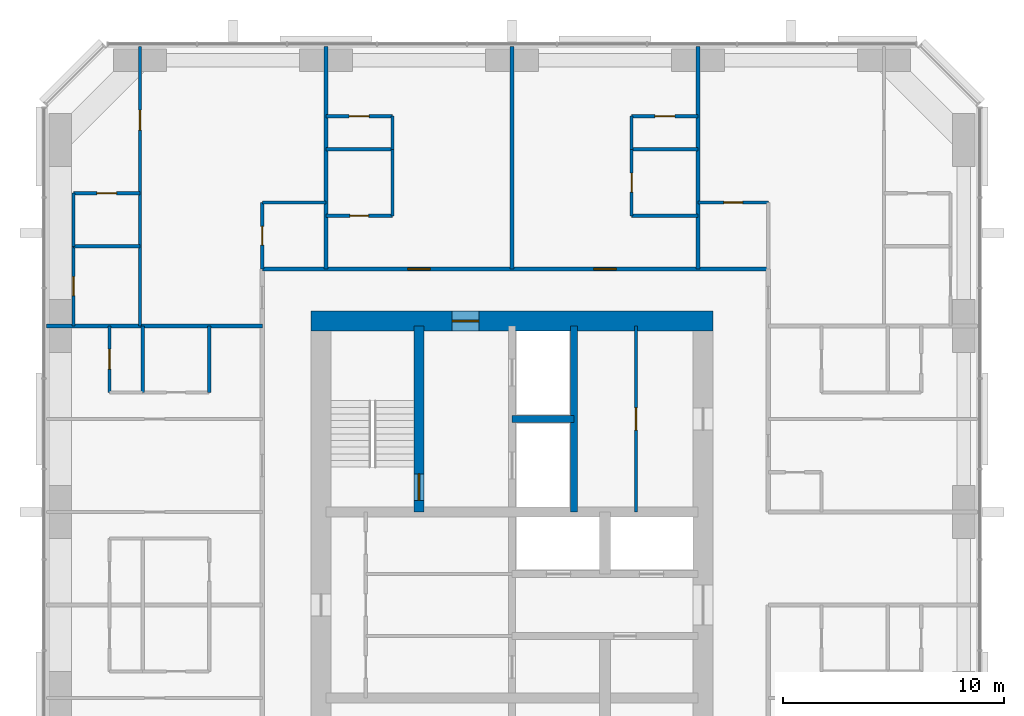
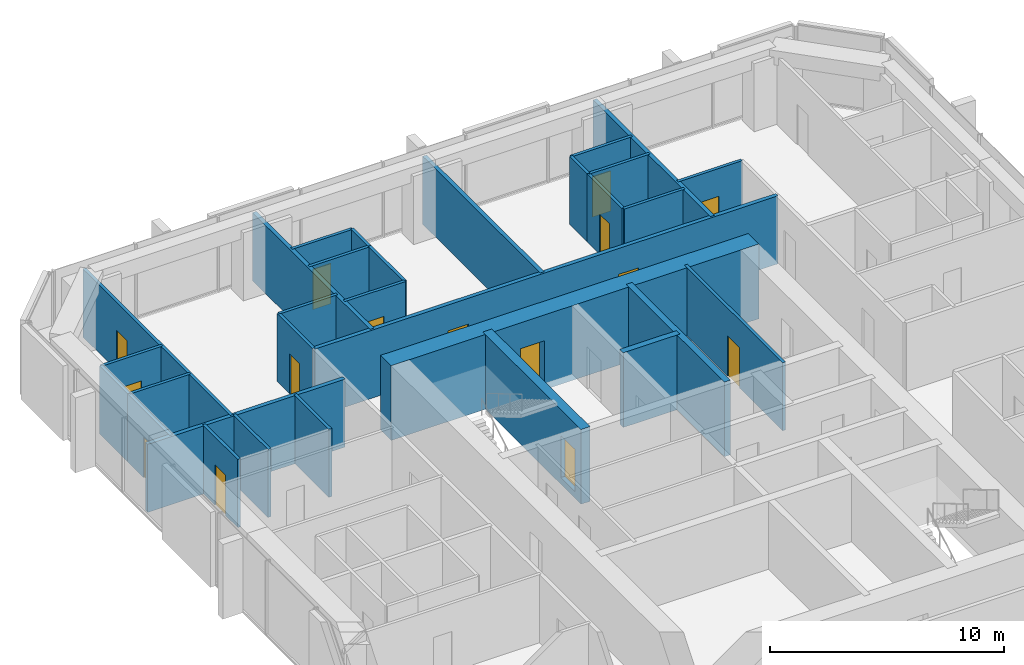
# One storey, part 10 of 12: 31 walls, 15 doors, 15 openings.
"""IFC4 building model written with IfcOpenShell, lengths in metres."""

import ifcopenshell
import ifcopenshell.guid

model = None  # the IFC model being written
_history = None  # IfcOwnerHistory: only IFC2X3 demands one
_inside = {}  # id of a spatial element -> (the spatial element, [elements in it])
_under = {}  # id of a project, library or spatial element -> (it, [spatial elements below it])
_declared = {}  # id of a project -> (the project, [libraries it declares])
_typed = {}  # id of a type object -> (the type object, [elements of that type])
_made_of = {}  # id of a material, layer set ... -> (it, [elements and type objects made of it])


def new_model(schema):
    """Start an empty IFC model of exactly this schema.

    Asked for "IFC4X3", IfcOpenShell would pick the latest addendum, in which some entities
    have other attributes; the version numbers below select the first issue.
    IFC2X3 requires an IfcOwnerHistory on every rooted entity: one is made here for all.
    """
    global model, _history
    if schema == "IFC4X3":
        model = ifcopenshell.file(schema_version=(4, 3, 0, 0))
    else:
        model = ifcopenshell.file(schema=schema)
    _inside.clear()
    _under.clear()
    _declared.clear()
    _typed.clear()
    _made_of.clear()
    _history = None
    if model.schema == "IFC2X3":
        org = make("IfcOrganization", Name="unknown")
        user = make(
            "IfcPersonAndOrganization",
            ThePerson=make("IfcPerson", FamilyName="unknown"),
            TheOrganization=org,
        )
        app = make(
            "IfcApplication",
            ApplicationDeveloper=org,
            Version="unknown",
            ApplicationFullName="unknown",
            ApplicationIdentifier="unknown",
        )
        _history = make(
            "IfcOwnerHistory",
            OwningUser=user,
            OwningApplication=app,
            ChangeAction="ADDED",
            CreationDate=0,
        )
    return model


def make(cls, **values):
    """One entity of the class cls with the attributes given. An attribute that is None is left unset."""
    return model.create_entity(
        cls, **{name: value for name, value in values.items() if value is not None}
    )


def rooted(cls, **values):
    """An entity with a GlobalId (a new one), such as an element, a storey or a relation."""
    return make(cls, GlobalId=ifcopenshell.guid.new(), OwnerHistory=_history, **values)


def si_unit(unit_type, name, prefix=None):
    """IfcSIUnit, for example si_unit("LENGTHUNIT", "METRE", prefix="MILLI")."""
    return make("IfcSIUnit", UnitType=unit_type, Prefix=prefix, Name=name)


def assignment(units):
    """IfcUnitAssignment: the units of a project."""
    return None if units is None else make("IfcUnitAssignment", Units=units)


def point(xyz):
    """IfcCartesianPoint."""
    return None if xyz is None else make("IfcCartesianPoint", Coordinates=xyz)


def direction(xyz):
    """IfcDirection."""
    return None if xyz is None else make("IfcDirection", DirectionRatios=xyz)


def frame(location, z_axis=None, x_axis=None):
    """IfcAxis2Placement3D, a coordinate frame: its origin and axes. An axis left out is left unset."""
    return make(
        "IfcAxis2Placement3D",
        Location=point(location),
        Axis=direction(z_axis),
        RefDirection=direction(x_axis),
    )


def frame_2d(location, x_axis=None):
    """IfcAxis2Placement2D, a coordinate frame in the plane: its origin and x axis."""
    return make(
        "IfcAxis2Placement2D", Location=point(location), RefDirection=direction(x_axis)
    )


def origin():
    """The frame at (0, 0, 0) with its axes left unset."""
    return frame((0.0, 0.0, 0.0))


def place(relative_to, where):
    """IfcLocalPlacement: puts the frame where relative to a parent placement (None: the world)."""
    return make(
        "IfcLocalPlacement", PlacementRelTo=relative_to, RelativePlacement=where
    )


def context(
    kind, dimensions, precision=None, world=None, true_north=None, identifier=None
):
    """IfcGeometricRepresentationContext, for example the 3D "Model" context."""
    return make(
        "IfcGeometricRepresentationContext",
        ContextIdentifier=identifier,
        ContextType=kind,
        CoordinateSpaceDimension=dimensions,
        Precision=precision,
        WorldCoordinateSystem=world,
        TrueNorth=true_north,
    )


def subcontext(parent, identifier, kind, view, scale=None):
    """IfcGeometricRepresentationSubContext, for example "Body" below "Model"."""
    return make(
        "IfcGeometricRepresentationSubContext",
        ContextIdentifier=identifier,
        ContextType=kind,
        ParentContext=parent,
        TargetScale=scale,
        TargetView=view,
    )


def project(units=None, contexts=None):
    """IfcProject with its units and contexts."""
    return rooted(
        "IfcProject",
        Name="project",
        RepresentationContexts=contexts,
        UnitsInContext=assignment(units),
    )


def spatial(cls, under=None, at=None, **own):
    """A site, building, storey or space (cls), placed at a placement, below another one or the project."""
    s = rooted(cls, ObjectPlacement=at, **own)
    if under is not None:
        _under.setdefault(under.id(), (under, []))[1].append(s)
    return s


def profile(cls, at=None, kind="AREA", **sizes):
    """A parametric profile (cls). Its sizes go by their IFC names, for example OverallWidth=200.0."""
    return make(cls, ProfileType=kind, Position=at, **sizes)


def rectangle(**sizes):
    """IfcRectangleProfileDef."""
    return profile("IfcRectangleProfileDef", **sizes)


def extrude(swept, where, along, depth):
    """IfcExtrudedAreaSolid: the profile swept, set in the frame where, extruded along a direction by depth."""
    return make(
        "IfcExtrudedAreaSolid",
        SweptArea=swept,
        Position=where,
        ExtrudedDirection=direction(along),
        Depth=depth,
    )


def shape(context_of_items, identifier, shape_type, items):
    """IfcShapeRepresentation: the items that make up one representation, for example the "Body"."""
    return make(
        "IfcShapeRepresentation",
        ContextOfItems=context_of_items,
        RepresentationIdentifier=identifier,
        RepresentationType=shape_type,
        Items=items,
    )


def material(Name=None, Category=None):
    """IfcMaterial."""
    return make("IfcMaterial", Name=Name, Category=Category)


def layer(
    of_material, thickness, ventilated=None, Name=None, Category=None, Priority=None
):
    """IfcMaterialLayer: one layer of a wall or slab, of a material (None: an air gap)."""
    return make(
        "IfcMaterialLayer",
        Material=of_material,
        LayerThickness=thickness,
        IsVentilated=ventilated,
        Name=Name,
        Category=Category,
        Priority=Priority,
    )


def layer_set(layers, Name=None):
    """IfcMaterialLayerSet."""
    return make("IfcMaterialLayerSet", MaterialLayers=layers, LayerSetName=Name)


def made_of(thing, what):
    """Note that an element or type object is made of a material, layer set ...; save() writes the relation."""
    if what is not None:
        _made_of.setdefault(what.id(), (what, []))[1].append(thing)
    return thing


def type_object(cls, material=None, **own):
    """A type object (cls), such as IfcWallType, which elements share."""
    return made_of(rooted(cls, **own), material)


def element(
    cls,
    number,
    at=None,
    inside=None,
    cuts=None,
    type_object=None,
    material=None,
    context=None,
    identifier="Body",
    shape_type=None,
    held_by="IfcProductDefinitionShape",
    body=None,
    shapes=None,
    **own,
):
    """One element of the class cls, such as IfcWall. Its Tag is "e" and its number.

    at: its placement. inside: the storey or other place that contains it. cuts: it is an
    opening in that element (IfcRelVoidsElement). A single representation is given by context,
    identifier, shape_type and body (its items); several are given by shapes. held_by: the class
    of the entity that holds the representations. save() writes the other relations.
    """
    e = rooted(cls, Tag="e%d" % number, ObjectPlacement=at, **own)
    if body is not None:
        shapes = [shape(context, identifier, shape_type, body)]
    if shapes is not None:
        e.Representation = make(held_by, Representations=shapes)
    if inside is not None:
        _inside.setdefault(inside.id(), (inside, []))[1].append(e)
    if cuts is not None:
        rooted(
            "IfcRelVoidsElement", RelatingBuildingElement=cuts, RelatedOpeningElement=e
        )
    if type_object is not None:
        _typed.setdefault(type_object.id(), (type_object, []))[1].append(e)
    return made_of(e, material)


def fill(opening, filler):
    """IfcRelFillsElement: the door or window that sits in an opening."""
    return rooted(
        "IfcRelFillsElement",
        RelatingOpeningElement=opening,
        RelatedBuildingElement=filler,
    )


def aggregate(whole, parts):
    """IfcRelAggregates: a whole, such as a stair, and the parts it consists of."""
    return rooted("IfcRelAggregates", RelatingObject=whole, RelatedObjects=parts)


def save(model, path):
    """Write the relations noted so far, then the file.

    IfcRelAggregates (storeys below a building ...), IfcRelContainedInSpatialStructure (elements
    in a storey), IfcRelDefinesByType, IfcRelAssociatesMaterial and IfcRelDeclares: one each for
    every whole, place, type object, material and project.
    """
    for whole, parts in _under.values():
        aggregate(whole, parts)
    for where, things in _inside.values():
        rooted(
            "IfcRelContainedInSpatialStructure",
            RelatedElements=things,
            RelatingStructure=where,
        )
    for kind, things in _typed.values():
        rooted("IfcRelDefinesByType", RelatedObjects=things, RelatingType=kind)
    for what, things in _made_of.values():
        rooted("IfcRelAssociatesMaterial", RelatedObjects=things, RelatingMaterial=what)
    for by, libraries in _declared.values():
        rooted("IfcRelDeclares", RelatingContext=by, RelatedDefinitions=libraries)
    model.write(path)


model = new_model("IFC4")

# Units and contexts
model_context = context("Model", 3, precision=1e-05, world=origin(), true_north=direction((0.0, 1.0)))
body_context = subcontext(model_context, "Body", "Model", "MODEL_VIEW")
ifc_project = project(units=[si_unit("LENGTHUNIT", "METRE"), si_unit("AREAUNIT", "SQUARE_METRE"), si_unit("VOLUMEUNIT", "CUBIC_METRE"), si_unit("PLANEANGLEUNIT", "RADIAN"), si_unit("MASSUNIT", "GRAM", prefix="KILO")], contexts=[model_context])

# Site, building, storey
site_placement = place(None, origin())
site = spatial("IfcSite", under=ifc_project, at=site_placement, CompositionType="ELEMENT")
building_placement = place(site_placement, origin())
building = spatial("IfcBuilding", under=site, at=building_placement, Name="Dunama Terrace Hotel", CompositionType="ELEMENT")
storey_placement = place(building_placement, frame((0.0, 0.0, 237.300048828125)))
storey = spatial("IfcBuildingStorey", under=building, at=storey_placement, Name="L61", CompositionType="ELEMENT", Elevation=237.300048828125)

# Wall, opening, door
ifc_material_1 = material(Name="Gypsum board partition", Category="masonry")
ifc_layer_1 = layer(ifc_material_1, 0.14990234375)
ifc_layer_set_1 = layer_set([ifc_layer_1], Name="Bathroom partition 150")
wall_type_1 = type_object("IfcWallType", Name="Bathroom partition 150", PredefinedType="PARTITIONING", material=ifc_layer_set_1)
wall_1_placement = place(storey_placement, frame((13.800048828125, 42.0, 0.0), z_axis=(0.0, 0.0, 1.0), x_axis=(0.0, 1.0, 0.0)))
wall_1 = element("IfcWall", 1, at=wall_1_placement, inside=storey, type_object=wall_type_1, Name="Bathroom partition 150 L61", PredefinedType="PARTITIONING", context=body_context, shape_type="SweptSolid", body=[
    extrude(rectangle(XDim=3.60009765625, YDim=0.14990234375, at=frame_2d((1.800048828125, 0.0))), origin(), (0.0, 0.0, 1.0), 3.550048828125),
])
opening_1_placement = place(wall_1_placement, frame((1.375, 0.0, 0.0)))
opening_1 = element("IfcOpeningElement", 2, at=opening_1_placement, cuts=wall_1, Name="Opening L61-062", PredefinedType="OPENING", context=body_context, shape_type="SweptSolid", body=[
    extrude(rectangle(XDim=0.85009765625, YDim=2.10009765625, at=frame_2d((0.425048828125, 1.050048828125))), frame((0.0, 0.0849609375, 0.0), z_axis=(0.0, -1.0, 0.0), x_axis=(1.0, 0.0, 0.0)), (0.0, 0.0, 1.0), 0.169921875),
])
ifc_material_2 = material(Name="Timber door with steel frame", Category="steel")
door_type_1 = type_object("IfcDoorType", Name="Bathroom door 850", OperationType="SINGLE_SWING_LEFT", PredefinedType="DOOR", material=ifc_material_2)
door_1_placement = place(opening_1_placement, frame((0.85009765625, 0.0, 0.0), z_axis=(0.0, 0.0, 1.0), x_axis=(-1.0, 0.0, 0.0)))
door_1 = element("IfcDoor", 3, at=door_1_placement, inside=storey, type_object=door_type_1, Name="Door to en-suite bathroom L61-062, type D2", OperationType="SINGLE_SWING_RIGHT", OverallHeight=2.10009765625, OverallWidth=0.85009765625, PredefinedType="DOOR", context=body_context, shape_type="SweptSolid", body=[
    extrude(rectangle(XDim=0.85009765625, YDim=2.10009765625, at=frame_2d((0.425048828125, 1.050048828125))), frame((0.0, 0.025146484375, 0.0), z_axis=(0.0, -1.0, 0.0), x_axis=(1.0, 0.0, 0.0)), (0.0, 0.0, 1.0), 0.050048828125),
])
fill(opening_1, door_1)

# Wall
wall_2_placement = place(storey_placement, frame((19.925048828125, 39.0, 0.0), z_axis=(0.0, 0.0, 1.0), x_axis=(0.0, 1.0, 0.0)))
element("IfcWall", 4, at=wall_2_placement, inside=storey, type_object=wall_type_1, Name="Bathroom partition 150 L61", PredefinedType="PARTITIONING", context=body_context, shape_type="SweptSolid", body=[
    extrude(rectangle(XDim=3.0, YDim=0.14990234375, at=frame_2d((1.5, 0.0))), origin(), (0.0, 0.0, 1.0), 3.550048828125),
])

# Wall, opening, door
wall_3_placement = place(storey_placement, frame((22.324951171875, 44.574951171875, 0.0), z_axis=(0.0, 0.0, 1.0), x_axis=(0.0, 1.0, 0.0)))
wall_3 = element("IfcWall", 5, at=wall_3_placement, inside=storey, type_object=wall_type_1, Name="Bathroom partition 150 L61", PredefinedType="PARTITIONING", context=body_context, shape_type="SweptSolid", body=[
    extrude(rectangle(XDim=3.0, YDim=0.14990234375, at=frame_2d((1.5, 0.0))), origin(), (0.0, 0.0, 1.0), 3.550048828125),
])
opening_2_placement = place(wall_3_placement, frame((1.074951171875, 0.0, 0.0)))
opening_2 = element("IfcOpeningElement", 6, at=opening_2_placement, cuts=wall_3, Name="Opening L61-060", PredefinedType="OPENING", context=body_context, shape_type="SweptSolid", body=[
    extrude(rectangle(XDim=0.85009765625, YDim=2.10009765625, at=frame_2d((0.425048828125, 1.050048828125))), frame((0.0, 0.0849609375, 0.0), z_axis=(0.0, -1.0, 0.0), x_axis=(1.0, 0.0, 0.0)), (0.0, 0.0, 1.0), 0.169921875),
])
door_2_placement = place(opening_2_placement, frame((0.85009765625, 0.0, 0.0), z_axis=(0.0, 0.0, 1.0), x_axis=(-1.0, 0.0, 0.0)))
door_2 = element("IfcDoor", 7, at=door_2_placement, inside=storey, type_object=door_type_1, Name="Door to powder room L61-060, type D2", OperationType="SINGLE_SWING_RIGHT", OverallHeight=2.10009765625, OverallWidth=0.85009765625, PredefinedType="DOOR", context=body_context, shape_type="SweptSolid", body=[
    extrude(rectangle(XDim=0.85009765625, YDim=2.10009765625, at=frame_2d((0.425048828125, 1.050048828125))), frame((0.0, 0.025146484375, 0.0), z_axis=(0.0, -1.0, 0.0), x_axis=(1.0, 0.0, 0.0)), (0.0, 0.0, 1.0), 0.050048828125),
])
fill(opening_2, door_2)

# Wall
wall_4_placement = place(storey_placement, frame((28.199951171875, 46.97509765625, 0.0), z_axis=(0.0, 0.0, 1.0), x_axis=(0.0, 1.0, 0.0)))
element("IfcWall", 8, at=wall_4_placement, inside=storey, type_object=wall_type_1, Name="Bathroom partition 150 L61", PredefinedType="PARTITIONING", context=body_context, shape_type="SweptSolid", body=[
    extrude(rectangle(XDim=3.0, YDim=0.14990234375, at=frame_2d((1.5, 0.0))), origin(), (0.0, 0.0, 1.0), 3.550048828125),
])

# Wall, opening, door
wall_5_placement = place(storey_placement, frame((39.0, 46.97509765625, 0.0), z_axis=(0.0, 0.0, 1.0), x_axis=(0.0, 1.0, 0.0)))
wall_5 = element("IfcWall", 9, at=wall_5_placement, inside=storey, type_object=wall_type_1, Name="Bathroom partition 150 L61", PredefinedType="PARTITIONING", context=body_context, shape_type="SweptSolid", body=[
    extrude(rectangle(XDim=3.0, YDim=0.14990234375, at=frame_2d((1.5, 0.0))), origin(), (0.0, 0.0, 1.0), 3.550048828125),
])
opening_3_placement = place(wall_5_placement, frame((1.074951171875, 0.0, 0.0)))
opening_3 = element("IfcOpeningElement", 10, at=opening_3_placement, cuts=wall_5, Name="Opening L61-028", PredefinedType="OPENING", context=body_context, shape_type="SweptSolid", body=[
    extrude(rectangle(XDim=0.85009765625, YDim=2.10009765625, at=frame_2d((0.425048828125, 1.050048828125))), frame((0.0, 0.0849609375, 0.0), z_axis=(0.0, -1.0, 0.0), x_axis=(1.0, 0.0, 0.0)), (0.0, 0.0, 1.0), 0.169921875),
])
door_3_placement = place(opening_3_placement, frame((0.85009765625, 0.0, 0.0), z_axis=(0.0, 0.0, 1.0), x_axis=(-1.0, 0.0, 0.0)))
door_3 = element("IfcDoor", 11, at=door_3_placement, inside=storey, type_object=door_type_1, Name="Door to en-suite bathroom L61-028, type D2", OperationType="SINGLE_SWING_LEFT", OverallHeight=2.10009765625, OverallWidth=0.85009765625, PredefinedType="DOOR", context=body_context, shape_type="SweptSolid", body=[
    extrude(rectangle(XDim=0.85009765625, YDim=2.10009765625, at=frame_2d((0.425048828125, 1.050048828125))), frame((0.0, 0.025146484375, 0.0), z_axis=(0.0, -1.0, 0.0), x_axis=(1.0, 0.0, 0.0)), (0.0, 0.0, 1.0), 0.050048828125),
])
fill(opening_3, door_3)

wall_6_placement = place(storey_placement, frame((25.199951171875, 46.97509765625, 0.0), z_axis=(0.0, 0.0, 1.0), x_axis=(1.0, 0.0, 0.0)))
wall_6 = element("IfcWall", 12, at=wall_6_placement, inside=storey, type_object=wall_type_1, Name="Bathroom partition 150 L61", PredefinedType="PARTITIONING", context=body_context, shape_type="SweptSolid", body=[
    extrude(rectangle(XDim=3.0, YDim=0.14990234375, at=frame_2d((1.5, 0.0))), origin(), (0.0, 0.0, 1.0), 3.550048828125),
])
opening_4_placement = place(wall_6_placement, frame((1.074951171875, 0.0, 0.0)))
opening_4 = element("IfcOpeningElement", 13, at=opening_4_placement, cuts=wall_6, Name="Opening L61-025", PredefinedType="OPENING", context=body_context, shape_type="SweptSolid", body=[
    extrude(rectangle(XDim=0.85009765625, YDim=2.10009765625, at=frame_2d((0.425048828125, 1.050048828125))), frame((0.0, 0.0849609375, 0.0), z_axis=(0.0, -1.0, 0.0), x_axis=(1.0, 0.0, 0.0)), (0.0, 0.0, 1.0), 0.169921875),
])
door_4_placement = place(opening_4_placement, origin())
door_4 = element("IfcDoor", 14, at=door_4_placement, inside=storey, type_object=door_type_1, Name="Door to en-suite bathroom L61-025, type D2", OperationType="SINGLE_SWING_LEFT", OverallHeight=2.10009765625, OverallWidth=0.85009765625, PredefinedType="DOOR", context=body_context, shape_type="SweptSolid", body=[
    extrude(rectangle(XDim=0.85009765625, YDim=2.10009765625, at=frame_2d((0.425048828125, 1.050048828125))), frame((0.0, 0.02490234375, 0.0), z_axis=(0.0, -1.0, 0.0), x_axis=(1.0, 0.0, 0.0)), (0.0, 0.0, 1.0), 0.050048828125),
])
fill(opening_4, door_4)

# Walls
wall_7_placement = place(storey_placement, frame((39.0, 46.97509765625, 0.0), z_axis=(0.0, 0.0, 1.0), x_axis=(1.0, 0.0, 0.0)))
element("IfcWall", 15, at=wall_7_placement, inside=storey, type_object=wall_type_1, Name="Bathroom partition 150 L61", PredefinedType="PARTITIONING", context=body_context, shape_type="SweptSolid", body=[
    extrude(rectangle(XDim=3.0, YDim=0.14990234375, at=frame_2d((1.5, 0.0))), origin(), (0.0, 0.0, 1.0), 3.550048828125),
])
wall_8_placement = place(storey_placement, frame((22.324951171875, 47.574951171875, 0.0), z_axis=(0.0, 0.0, 1.0), x_axis=(1.0, 0.0, 0.0)))
element("IfcWall", 16, at=wall_8_placement, inside=storey, type_object=wall_type_1, Name="Bathroom partition 150 L61", PredefinedType="PARTITIONING", context=body_context, shape_type="SweptSolid", body=[
    extrude(rectangle(XDim=2.875, YDim=0.14990234375, at=frame_2d((1.4375, 0.0))), origin(), (0.0, 0.0, 1.0), 3.550048828125),
])

# Wall, opening, door
wall_9_placement = place(storey_placement, frame((42.0, 47.574951171875, 0.0), z_axis=(0.0, 0.0, 1.0), x_axis=(1.0, 0.0, 0.0)))
wall_9 = element("IfcWall", 17, at=wall_9_placement, inside=storey, type_object=wall_type_1, Name="Bathroom partition 150 L61", PredefinedType="PARTITIONING", context=body_context, shape_type="SweptSolid", body=[
    extrude(rectangle(XDim=3.175048828125, YDim=0.14990234375, at=frame_2d((1.58740234375, 0.0))), origin(), (0.0, 0.0, 1.0), 3.550048828125),
])
opening_5_placement = place(wall_9_placement, frame((1.1630859375, 0.0, 0.0)))
opening_5 = element("IfcOpeningElement", 18, at=opening_5_placement, cuts=wall_9, Name="Opening L61-055", PredefinedType="OPENING", context=body_context, shape_type="SweptSolid", body=[
    extrude(rectangle(XDim=0.85009765625, YDim=2.10009765625, at=frame_2d((0.425048828125, 1.050048828125))), frame((0.0, 0.0849609375, 0.0), z_axis=(0.0, -1.0, 0.0), x_axis=(1.0, 0.0, 0.0)), (0.0, 0.0, 1.0), 0.169921875),
])
door_5_placement = place(opening_5_placement, frame((0.85009765625, 0.0, 0.0), z_axis=(0.0, 0.0, 1.0), x_axis=(-1.0, 0.0, 0.0)))
door_5 = element("IfcDoor", 19, at=door_5_placement, inside=storey, type_object=door_type_1, Name="Door to powder room L61-055, type D2", OperationType="SINGLE_SWING_RIGHT", OverallHeight=2.10009765625, OverallWidth=0.85009765625, PredefinedType="DOOR", context=body_context, shape_type="SweptSolid", body=[
    extrude(rectangle(XDim=0.85009765625, YDim=2.10009765625, at=frame_2d((0.425048828125, 1.050048828125))), frame((0.0, 0.025146484375, 0.0), z_axis=(0.0, -1.0, 0.0), x_axis=(1.0, 0.0, 0.0)), (0.0, 0.0, 1.0), 0.050048828125),
])
fill(opening_5, door_5)

# Walls
ifc_material_3 = material(Name="Concrete C50/60", Category="concrete")
ifc_layer_2 = layer(ifc_material_3, 0.300048828125)
ifc_layer_set_2 = layer_set([ifc_layer_2], Name="Core inner wall 300")
wall_type_2 = type_object("IfcWallType", Name="Core inner wall 300", PredefinedType="SHEAR", material=ifc_layer_set_2)
wall_10_placement = place(storey_placement, frame((36.39990234375, 33.60009765625, -0.35009765625), z_axis=(0.0, 0.0, 1.0), x_axis=(0.0, 1.0, 0.0)))
element("IfcWall", 20, at=wall_10_placement, inside=storey, type_object=wall_type_2, Name="Core inner wall 300 L61", PredefinedType="SHEAR", context=body_context, shape_type="SweptSolid", body=[
    extrude(rectangle(XDim=8.39990234375, YDim=0.300048828125, at=frame_2d((4.199951171875, 0.0))), origin(), (0.0, 0.0, 1.0), 3.900146484375),
])
wall_11_placement = place(storey_placement, frame((33.60009765625, 37.800048828125, -0.35009765625), z_axis=(0.0, 0.0, 1.0), x_axis=(1.0, 0.0, 0.0)))
element("IfcWall", 21, at=wall_11_placement, inside=storey, type_object=wall_type_2, Name="Core inner wall 300 L61", PredefinedType="SHEAR", context=body_context, shape_type="SweptSolid", body=[
    extrude(rectangle(XDim=2.7998046875, YDim=0.300048828125, at=frame_2d((1.39990234375, 0.0))), origin(), (0.0, 0.0, 1.0), 3.900146484375),
])

# Wall, opening, door
ifc_material_4 = material(Name="Concrete C50/60", Category="concrete")
ifc_layer_3 = layer(ifc_material_4, 0.449951171875)
ifc_layer_set_3 = layer_set([ifc_layer_3], Name="Core inner wall 450")
wall_type_3 = type_object("IfcWallType", Name="Core inner wall 450", PredefinedType="SHEAR", material=ifc_layer_set_3)
wall_12_placement = place(storey_placement, frame((29.39990234375, 33.60009765625, -0.35009765625), z_axis=(0.0, 0.0, 1.0), x_axis=(0.0, 1.0, 0.0)))
wall_12 = element("IfcWall", 22, at=wall_12_placement, inside=storey, type_object=wall_type_3, Name="Core inner wall 450 L61", PredefinedType="SHEAR", context=body_context, shape_type="SweptSolid", body=[
    extrude(rectangle(XDim=8.39990234375, YDim=0.449951171875, at=frame_2d((4.199951171875, 0.0))), origin(), (0.0, 0.0, 1.0), 3.900146484375),
])
opening_6_placement = place(wall_12_placement, frame((0.52490234375, 0.0, 0.35009765625)))
opening_6 = element("IfcOpeningElement", 23, at=opening_6_placement, cuts=wall_12, Name="Opening L61-001", PredefinedType="OPENING", context=body_context, shape_type="SweptSolid", body=[
    extrude(rectangle(XDim=1.199951171875, YDim=2.199951171875, at=frame_2d((0.60009765625, 1.10009765625))), frame((0.0, 0.23486328125, 0.0), z_axis=(0.0, -1.0, 0.0), x_axis=(1.0, 0.0, 0.0)), (0.0, 0.0, 1.0), 0.469970703125),
])
ifc_material_5 = material(Name="Timber door with steel frame", Category="steel")
door_type_2 = type_object("IfcDoorType", Name="Stair door 1200", OperationType="SINGLE_SWING_LEFT", PredefinedType="DOOR", material=ifc_material_5)
door_6_placement = place(opening_6_placement, origin())
door_6 = element("IfcDoor", 24, at=door_6_placement, inside=storey, type_object=door_type_2, Name="Stair door ST1 L61-001, type D5", OperationType="SINGLE_SWING_LEFT", OverallHeight=2.199951171875, OverallWidth=1.199951171875, PredefinedType="DOOR", context=body_context, shape_type="SweptSolid", body=[
    extrude(rectangle(XDim=1.199951171875, YDim=2.199951171875, at=frame_2d((0.60009765625, 1.10009765625))), frame((0.0, 0.02490234375, 0.0), z_axis=(0.0, -1.0, 0.0), x_axis=(1.0, 0.0, 0.0)), (0.0, 0.0, 1.0), 0.050048828125),
])
fill(opening_6, door_6)

ifc_material_6 = material(Name="Concrete C60/75", Category="concrete")
ifc_layer_4 = layer(ifc_material_6, 0.89990234375)
ifc_layer_set_4 = layer_set([ifc_layer_4], Name="Core wall 900")
wall_type_4 = type_object("IfcWallType", Name="Core wall 900", PredefinedType="SHEAR", material=ifc_layer_set_4)
wall_13_placement = place(storey_placement, frame((42.675048828125, 42.22509765625, -0.35009765625), z_axis=(0.0, 0.0, 1.0), x_axis=(-1.0, 0.0, 0.0)))
wall_13 = element("IfcWall", 25, at=wall_13_placement, inside=storey, type_object=wall_type_4, Name="Core wall north L61", PredefinedType="SHEAR", context=body_context, shape_type="SweptSolid", body=[
    extrude(rectangle(XDim=18.150146484375, YDim=0.89990234375, at=frame_2d((9.0751953125, 0.0))), origin(), (0.0, 0.0, 1.0), 3.900146484375),
])
opening_7_placement = place(wall_13_placement, frame((10.574951171875, 0.0, 0.35009765625)))
opening_7 = element("IfcOpeningElement", 26, at=opening_7_placement, cuts=wall_13, Name="Opening L61-071", PredefinedType="OPENING", context=body_context, shape_type="SweptSolid", body=[
    extrude(rectangle(XDim=1.199951171875, YDim=2.199951171875, at=frame_2d((0.60009765625, 1.10009765625))), frame((0.0, 0.4599609375, 0.0), z_axis=(0.0, -1.0, 0.0), x_axis=(1.0, 0.0, 0.0)), (0.0, 0.0, 1.0), 0.919921875),
])
ifc_material_7 = material(Name="Timber door with steel frame", Category="steel")
door_type_3 = type_object("IfcDoorType", Name="Firefighting lobby door 1200", OperationType="SINGLE_SWING_LEFT", PredefinedType="DOOR", material=ifc_material_7)
door_7_placement = place(opening_7_placement, origin())
door_7 = element("IfcDoor", 27, at=door_7_placement, inside=storey, type_object=door_type_3, Name="Door to firefighting lobby L61-071, type D4", OperationType="SINGLE_SWING_RIGHT", OverallHeight=2.199951171875, OverallWidth=1.199951171875, PredefinedType="DOOR", context=body_context, shape_type="SweptSolid", body=[
    extrude(rectangle(XDim=1.199951171875, YDim=2.199951171875, at=frame_2d((0.60009765625, 1.10009765625))), frame((0.0, 0.02490234375, 0.0), z_axis=(0.0, -1.0, 0.0), x_axis=(1.0, 0.0, 0.0)), (0.0, 0.0, 1.0), 0.050048828125),
])
fill(opening_7, door_7)

# Wall, openings, doors
ifc_material_8 = material(Name="Concrete blockwork", Category="masonry")
ifc_layer_5 = layer(ifc_material_8, 0.199951171875)
ifc_layer_set_5 = layer_set([ifc_layer_5], Name="Corridor partition 200")
wall_type_5 = type_object("IfcWallType", Name="Corridor partition 200", PredefinedType="PARTITIONING", material=ifc_layer_set_5)
wall_14_placement = place(storey_placement, frame((22.324951171875, 44.574951171875, 0.0), z_axis=(0.0, 0.0, 1.0), x_axis=(1.0, 0.0, 0.0)))
wall_14 = element("IfcWall", 28, at=wall_14_placement, inside=storey, type_object=wall_type_5, Name="Corridor partition 200 L61", PredefinedType="PARTITIONING", context=body_context, shape_type="SweptSolid", body=[
    extrude(rectangle(XDim=22.85009765625, YDim=0.199951171875, at=frame_2d((11.425048828125, 0.0))), origin(), (0.0, 0.0, 1.0), 3.550048828125),
])
opening_8_placement = place(wall_14_placement, frame((6.574951171875, 0.0, 0.0)))
opening_8 = element("IfcOpeningElement", 29, at=opening_8_placement, cuts=wall_14, Name="Opening L61-024", PredefinedType="OPENING", context=body_context, shape_type="SweptSolid", body=[
    extrude(rectangle(XDim=1.0, YDim=2.199951171875, at=frame_2d((0.5, 1.10009765625))), frame((0.0, 0.10986328125, 0.0), z_axis=(0.0, -1.0, 0.0), x_axis=(1.0, 0.0, 0.0)), (0.0, 0.0, 1.0), 0.219970703125),
])
opening_9_placement = place(wall_14_placement, frame((14.97509765625, 0.0, 0.0)))
opening_9 = element("IfcOpeningElement", 30, at=opening_9_placement, cuts=wall_14, Name="Opening L61-027", PredefinedType="OPENING", context=body_context, shape_type="SweptSolid", body=[
    extrude(rectangle(XDim=1.0, YDim=2.199951171875, at=frame_2d((0.5, 1.10009765625))), frame((0.0, 0.10986328125, 0.0), z_axis=(0.0, -1.0, 0.0), x_axis=(1.0, 0.0, 0.0)), (0.0, 0.0, 1.0), 0.219970703125),
])
ifc_material_9 = material(Name="Timber door with steel frame", Category="steel")
door_type_4 = type_object("IfcDoorType", Name="Guest room door 1000", OperationType="SINGLE_SWING_LEFT", PredefinedType="DOOR", material=ifc_material_9)
door_8_placement = place(opening_8_placement, origin())
door_8 = element("IfcDoor", 31, at=door_8_placement, inside=storey, type_object=door_type_4, Name="Door to junior suite L61-024, type D1", OperationType="SINGLE_SWING_LEFT", OverallHeight=2.199951171875, OverallWidth=1.0, PredefinedType="DOOR", context=body_context, shape_type="SweptSolid", body=[
    extrude(rectangle(XDim=1.0, YDim=2.199951171875, at=frame_2d((0.5, 1.10009765625))), frame((0.0, 0.02490234375, 0.0), z_axis=(0.0, -1.0, 0.0), x_axis=(1.0, 0.0, 0.0)), (0.0, 0.0, 1.0), 0.050048828125),
])
fill(opening_8, door_8)
door_9_placement = place(opening_9_placement, origin())
door_9 = element("IfcDoor", 32, at=door_9_placement, inside=storey, type_object=door_type_4, Name="Door to junior suite L61-027, type D1", OperationType="SINGLE_SWING_RIGHT", OverallHeight=2.199951171875, OverallWidth=1.0, PredefinedType="DOOR", context=body_context, shape_type="SweptSolid", body=[
    extrude(rectangle(XDim=1.0, YDim=2.199951171875, at=frame_2d((0.5, 1.10009765625))), frame((0.0, 0.02490234375, 0.0), z_axis=(0.0, -1.0, 0.0), x_axis=(1.0, 0.0, 0.0)), (0.0, 0.0, 1.0), 0.050048828125),
])
fill(opening_9, door_9)

# Walls
ifc_material_10 = material(Name="Concrete blockwork", Category="masonry")
ifc_layer_6 = layer(ifc_material_10, 0.199951171875)
ifc_layer_set_6 = layer_set([ifc_layer_6], Name="Party wall 200")
wall_type_6 = type_object("IfcWallType", Name="Party wall 200", PredefinedType="PARTITIONING", material=ifc_layer_set_6)
for number, where, z_axis, x_axis, name in (
    (33, (25.199951171875, 44.574951171875, 0.0), (0.0, 0.0, 1.0), (0.0, 1.0, 0.0), "Party wall 200 L61"),
    (34, (33.60009765625, 44.574951171875, 0.0), (0.0, 0.0, 1.0), (0.0, 1.0, 0.0), "Party wall 200 L61"),
    (35, (42.0, 44.574951171875, 0.0), (0.0, 0.0, 1.0), (0.0, 1.0, 0.0), "Party wall 200 L61"),
):
    element("IfcWall", number, at=place(storey_placement, frame(where, z_axis=z_axis, x_axis=x_axis)), inside=storey, type_object=wall_type_6, Name=name, PredefinedType="PARTITIONING", context=body_context, shape_type="SweptSolid", body=[
        extrude(rectangle(XDim=10.04296875, YDim=0.199951171875, at=frame_2d((5.021484375, 0.0))), origin(), (0.0, 0.0, 1.0), 3.550048828125),
    ])
wall_15_placement = place(storey_placement, frame((12.58203125, 42.0, 0.0), z_axis=(0.0, 0.0, 1.0), x_axis=(1.0, 0.0, 0.0)))
element("IfcWall", 36, at=wall_15_placement, inside=storey, type_object=wall_type_6, Name="Party wall 200 L61", PredefinedType="PARTITIONING", context=body_context, shape_type="SweptSolid", body=[
    extrude(rectangle(XDim=9.742919921875, YDim=0.199951171875, at=frame_2d((4.87158203125, 0.0))), origin(), (0.0, 0.0, 1.0), 3.550048828125),
])
ifc_material_11 = material(Name="Gypsum board partition", Category="masonry")
ifc_layer_7 = layer(ifc_material_11, 0.14990234375)
ifc_layer_set_7 = layer_set([ifc_layer_7], Name="Room partition 150")
wall_type_7 = type_object("IfcWallType", Name="Room partition 150", PredefinedType="PARTITIONING", material=ifc_layer_set_7)
wall_16_placement = place(storey_placement, frame((13.800048828125, 45.60009765625, 0.0), z_axis=(0.0, 0.0, 1.0), x_axis=(0.0, 1.0, 0.0)))
element("IfcWall", 37, at=wall_16_placement, inside=storey, type_object=wall_type_7, Name="Room partition 150 L61", PredefinedType="PARTITIONING", context=body_context, shape_type="SweptSolid", body=[
    extrude(rectangle(XDim=2.39990234375, YDim=0.14990234375, at=frame_2d((1.199951171875, 0.0))), origin(), (0.0, 0.0, 1.0), 3.550048828125),
])

# Wall, opening, door
wall_17_placement = place(storey_placement, frame((15.425048828125, 39.0, 0.0), z_axis=(0.0, 0.0, 1.0), x_axis=(0.0, 1.0, 0.0)))
wall_17 = element("IfcWall", 38, at=wall_17_placement, inside=storey, type_object=wall_type_7, Name="Room partition 150 L61", PredefinedType="PARTITIONING", context=body_context, shape_type="SweptSolid", body=[
    extrude(rectangle(XDim=3.0, YDim=0.14990234375, at=frame_2d((1.5, 0.0))), origin(), (0.0, 0.0, 1.0), 3.550048828125),
])
opening_10_placement = place(wall_17_placement, frame((1.050048828125, 0.0, 0.0)))
opening_10 = element("IfcOpeningElement", 39, at=opening_10_placement, cuts=wall_17, Name="Opening L61-040", PredefinedType="OPENING", context=body_context, shape_type="SweptSolid", body=[
    extrude(rectangle(XDim=0.89990234375, YDim=2.10009765625, at=frame_2d((0.449951171875, 1.050048828125))), frame((0.0, 0.0849609375, 0.0), z_axis=(0.0, -1.0, 0.0), x_axis=(1.0, 0.0, 0.0)), (0.0, 0.0, 1.0), 0.169921875),
])
ifc_material_12 = material(Name="Timber door with steel frame", Category="steel")
door_type_5 = type_object("IfcDoorType", Name="Suite internal door 900", OperationType="SINGLE_SWING_LEFT", PredefinedType="DOOR", material=ifc_material_12)
door_10_placement = place(opening_10_placement, frame((0.89990234375, 0.0, 0.0), z_axis=(0.0, 0.0, 1.0), x_axis=(-1.0, 0.0, 0.0)))
door_10 = element("IfcDoor", 40, at=door_10_placement, inside=storey, type_object=door_type_5, Name="Door to walk-in wardrobe L61-040, type D16", OperationType="SINGLE_SWING_RIGHT", OverallHeight=2.10009765625, OverallWidth=0.89990234375, PredefinedType="DOOR", context=body_context, shape_type="SweptSolid", body=[
    extrude(rectangle(XDim=0.89990234375, YDim=2.10009765625, at=frame_2d((0.449951171875, 1.050048828125))), frame((0.0, 0.025146484375, 0.0), z_axis=(0.0, -1.0, 0.0), x_axis=(1.0, 0.0, 0.0)), (0.0, 0.0, 1.0), 0.050048828125),
])
fill(opening_10, door_10)

wall_18_placement = place(storey_placement, frame((16.800048828125, 42.0, 0.0), z_axis=(0.0, 0.0, 1.0), x_axis=(0.0, 1.0, 0.0)))
wall_18 = element("IfcWall", 41, at=wall_18_placement, inside=storey, type_object=wall_type_7, Name="Room partition 150 L61", PredefinedType="PARTITIONING", context=body_context, shape_type="SweptSolid", body=[
    extrude(rectangle(XDim=12.617919921875, YDim=0.14990234375, at=frame_2d((6.30908203125, 0.0))), origin(), (0.0, 0.0, 1.0), 3.550048828125),
])
opening_11_placement = place(wall_18_placement, frame((8.85009765625, 0.0, 0.0)))
opening_11 = element("IfcOpeningElement", 42, at=opening_11_placement, cuts=wall_18, Name="Opening L61-061", PredefinedType="OPENING", context=body_context, shape_type="SweptSolid", body=[
    extrude(rectangle(XDim=0.89990234375, YDim=2.10009765625, at=frame_2d((0.449951171875, 1.050048828125))), frame((0.0, 0.0849609375, 0.0), z_axis=(0.0, -1.0, 0.0), x_axis=(1.0, 0.0, 0.0)), (0.0, 0.0, 1.0), 0.169921875),
])
door_11_placement = place(opening_11_placement, origin())
door_11 = element("IfcDoor", 43, at=door_11_placement, inside=storey, type_object=door_type_5, Name="Door to grand corner suite bedroom L61-061, type D16", OperationType="SINGLE_SWING_RIGHT", OverallHeight=2.10009765625, OverallWidth=0.89990234375, PredefinedType="DOOR", context=body_context, shape_type="SweptSolid", body=[
    extrude(rectangle(XDim=0.89990234375, YDim=2.10009765625, at=frame_2d((0.449951171875, 1.050048828125))), frame((0.0, 0.02490234375, 0.0), z_axis=(0.0, -1.0, 0.0), x_axis=(1.0, 0.0, 0.0)), (0.0, 0.0, 1.0), 0.050048828125),
])
fill(opening_11, door_11)

# Walls
wall_19_placement = place(storey_placement, frame((16.925048828125, 39.0, 0.0), z_axis=(0.0, 0.0, 1.0), x_axis=(0.0, 1.0, 0.0)))
element("IfcWall", 44, at=wall_19_placement, inside=storey, type_object=wall_type_7, Name="Room partition 150 L61", PredefinedType="PARTITIONING", context=body_context, shape_type="SweptSolid", body=[
    extrude(rectangle(XDim=3.0, YDim=0.14990234375, at=frame_2d((1.5, 0.0))), origin(), (0.0, 0.0, 1.0), 3.550048828125),
])
for number, where, z_axis, x_axis, name in (
    (45, (28.199951171875, 49.97509765625, 0.0), (0.0, 0.0, 1.0), (0.0, 1.0, 0.0), "Room partition 150 L61"),
    (46, (39.0, 49.97509765625, 0.0), (0.0, 0.0, 1.0), (0.0, 1.0, 0.0), "Room partition 150 L61"),
):
    element("IfcWall", number, at=place(storey_placement, frame(where, z_axis=z_axis, x_axis=x_axis)), inside=storey, type_object=wall_type_7, Name=name, PredefinedType="PARTITIONING", context=body_context, shape_type="SweptSolid", body=[
        extrude(rectangle(XDim=1.5, YDim=0.14990234375, at=frame_2d((0.75, 0.0))), origin(), (0.0, 0.0, 1.0), 3.550048828125),
    ])

# Wall, opening, door
wall_20_placement = place(storey_placement, frame((39.199951171875, 33.60009765625, 0.0), z_axis=(0.0, 0.0, 1.0), x_axis=(0.0, 1.0, 0.0)))
wall_20 = element("IfcWall", 47, at=wall_20_placement, inside=storey, type_object=wall_type_7, Name="Room partition 150 L61", PredefinedType="PARTITIONING", context=body_context, shape_type="SweptSolid", body=[
    extrude(rectangle(XDim=8.39990234375, YDim=0.14990234375, at=frame_2d((4.199951171875, 0.0))), origin(), (0.0, 0.0, 1.0), 3.550048828125),
])
opening_12_placement = place(wall_20_placement, frame((3.699951171875, 0.0, 0.0)))
opening_12 = element("IfcOpeningElement", 48, at=opening_12_placement, cuts=wall_20, Name="Opening L61-073", PredefinedType="OPENING", context=body_context, shape_type="SweptSolid", body=[
    extrude(rectangle(XDim=1.0, YDim=2.10009765625, at=frame_2d((0.5, 1.050048828125))), frame((0.0, 0.0849609375, 0.0), z_axis=(0.0, -1.0, 0.0), x_axis=(1.0, 0.0, 0.0)), (0.0, 0.0, 1.0), 0.169921875),
])
ifc_material_13 = material(Name="Timber door with steel frame", Category="steel")
door_type_6 = type_object("IfcDoorType", Name="Service door 1000", OperationType="SINGLE_SWING_LEFT", PredefinedType="DOOR", material=ifc_material_13)
door_12_placement = place(opening_12_placement, origin())
door_12 = element("IfcDoor", 49, at=door_12_placement, inside=storey, type_object=door_type_6, Name="Door to housekeeping store L61-073, type D7", OperationType="SINGLE_SWING_LEFT", OverallHeight=2.10009765625, OverallWidth=1.0, PredefinedType="DOOR", context=body_context, shape_type="SweptSolid", body=[
    extrude(rectangle(XDim=1.0, YDim=2.10009765625, at=frame_2d((0.5, 1.050048828125))), frame((0.0, 0.02490234375, 0.0), z_axis=(0.0, -1.0, 0.0), x_axis=(1.0, 0.0, 0.0)), (0.0, 0.0, 1.0), 0.050048828125),
])
fill(opening_12, door_12)

# Wall
wall_21_placement = place(storey_placement, frame((13.800048828125, 45.60009765625, 0.0), z_axis=(0.0, 0.0, 1.0), x_axis=(1.0, 0.0, 0.0)))
element("IfcWall", 50, at=wall_21_placement, inside=storey, type_object=wall_type_7, Name="Room partition 150 L61", PredefinedType="PARTITIONING", context=body_context, shape_type="SweptSolid", body=[
    extrude(rectangle(XDim=3.0, YDim=0.14990234375, at=frame_2d((1.5, 0.0))), origin(), (0.0, 0.0, 1.0), 3.550048828125),
])

# Wall, opening, door
wall_22_placement = place(storey_placement, frame((13.800048828125, 48.0, 0.0), z_axis=(0.0, 0.0, 1.0), x_axis=(1.0, 0.0, 0.0)))
wall_22 = element("IfcWall", 51, at=wall_22_placement, inside=storey, type_object=wall_type_7, Name="Room partition 150 L61", PredefinedType="PARTITIONING", context=body_context, shape_type="SweptSolid", body=[
    extrude(rectangle(XDim=3.0, YDim=0.14990234375, at=frame_2d((1.5, 0.0))), origin(), (0.0, 0.0, 1.0), 3.550048828125),
])
opening_13_placement = place(wall_22_placement, frame((1.050048828125, 0.0, 0.0)))
opening_13 = element("IfcOpeningElement", 52, at=opening_13_placement, cuts=wall_22, Name="Opening L61-063", PredefinedType="OPENING", context=body_context, shape_type="SweptSolid", body=[
    extrude(rectangle(XDim=0.89990234375, YDim=2.10009765625, at=frame_2d((0.449951171875, 1.050048828125))), frame((0.0, 0.0849609375, 0.0), z_axis=(0.0, -1.0, 0.0), x_axis=(1.0, 0.0, 0.0)), (0.0, 0.0, 1.0), 0.169921875),
])
door_13_placement = place(opening_13_placement, frame((0.89990234375, 0.0, 0.0), z_axis=(0.0, 0.0, 1.0), x_axis=(-1.0, 0.0, 0.0)))
door_13 = element("IfcDoor", 53, at=door_13_placement, inside=storey, type_object=door_type_5, Name="Door to dressing room L61-063, type D16", OperationType="SINGLE_SWING_LEFT", OverallHeight=2.10009765625, OverallWidth=0.89990234375, PredefinedType="DOOR", context=body_context, shape_type="SweptSolid", body=[
    extrude(rectangle(XDim=0.89990234375, YDim=2.10009765625, at=frame_2d((0.449951171875, 1.050048828125))), frame((0.0, 0.025146484375, 0.0), z_axis=(0.0, -1.0, 0.0), x_axis=(1.0, 0.0, 0.0)), (0.0, 0.0, 1.0), 0.050048828125),
])
fill(opening_13, door_13)

# Walls
for number, where, z_axis, x_axis, name in (
    (54, (25.199951171875, 49.97509765625, 0.0), (0.0, 0.0, 1.0), (1.0, 0.0, 0.0), "Room partition 150 L61"),
    (55, (39.0, 49.97509765625, 0.0), (0.0, 0.0, 1.0), (1.0, 0.0, 0.0), "Room partition 150 L61"),
):
    element("IfcWall", number, at=place(storey_placement, frame(where, z_axis=z_axis, x_axis=x_axis)), inside=storey, type_object=wall_type_7, Name=name, PredefinedType="PARTITIONING", context=body_context, shape_type="SweptSolid", body=[
        extrude(rectangle(XDim=3.0, YDim=0.14990234375, at=frame_2d((1.5, 0.0))), origin(), (0.0, 0.0, 1.0), 3.550048828125),
    ])

# Wall, opening, door
wall_23_placement = place(storey_placement, frame((25.199951171875, 51.47509765625, 0.0), z_axis=(0.0, 0.0, 1.0), x_axis=(1.0, 0.0, 0.0)))
wall_23 = element("IfcWall", 56, at=wall_23_placement, inside=storey, type_object=wall_type_7, Name="Room partition 150 L61", PredefinedType="PARTITIONING", context=body_context, shape_type="SweptSolid", body=[
    extrude(rectangle(XDim=3.0, YDim=0.14990234375, at=frame_2d((1.5, 0.0))), origin(), (0.0, 0.0, 1.0), 3.550048828125),
])
opening_14_placement = place(wall_23_placement, frame((1.050048828125, 0.0, 0.0)))
opening_14 = element("IfcOpeningElement", 57, at=opening_14_placement, cuts=wall_23, Name="Opening L61-026", PredefinedType="OPENING", context=body_context, shape_type="SweptSolid", body=[
    extrude(rectangle(XDim=0.89990234375, YDim=2.10009765625, at=frame_2d((0.449951171875, 1.050048828125))), frame((0.0, 0.0849609375, 0.0), z_axis=(0.0, -1.0, 0.0), x_axis=(1.0, 0.0, 0.0)), (0.0, 0.0, 1.0), 0.169921875),
])
door_14_placement = place(opening_14_placement, frame((0.89990234375, 0.0, 0.0), z_axis=(0.0, 0.0, 1.0), x_axis=(-1.0, 0.0, 0.0)))
door_14 = element("IfcDoor", 58, at=door_14_placement, inside=storey, type_object=door_type_5, Name="Door to walk-in wardrobe L61-026, type D16", OperationType="SINGLE_SWING_RIGHT", OverallHeight=2.10009765625, OverallWidth=0.89990234375, PredefinedType="DOOR", context=body_context, shape_type="SweptSolid", body=[
    extrude(rectangle(XDim=0.89990234375, YDim=2.10009765625, at=frame_2d((0.449951171875, 1.050048828125))), frame((0.0, 0.025146484375, 0.0), z_axis=(0.0, -1.0, 0.0), x_axis=(1.0, 0.0, 0.0)), (0.0, 0.0, 1.0), 0.050048828125),
])
fill(opening_14, door_14)

wall_24_placement = place(storey_placement, frame((39.0, 51.47509765625, 0.0), z_axis=(0.0, 0.0, 1.0), x_axis=(1.0, 0.0, 0.0)))
wall_24 = element("IfcWall", 59, at=wall_24_placement, inside=storey, type_object=wall_type_7, Name="Room partition 150 L61", PredefinedType="PARTITIONING", context=body_context, shape_type="SweptSolid", body=[
    extrude(rectangle(XDim=3.0, YDim=0.14990234375, at=frame_2d((1.5, 0.0))), origin(), (0.0, 0.0, 1.0), 3.550048828125),
])
opening_15_placement = place(wall_24_placement, frame((1.050048828125, 0.0, 0.0)))
opening_15 = element("IfcOpeningElement", 60, at=opening_15_placement, cuts=wall_24, Name="Opening L61-029", PredefinedType="OPENING", context=body_context, shape_type="SweptSolid", body=[
    extrude(rectangle(XDim=0.89990234375, YDim=2.10009765625, at=frame_2d((0.449951171875, 1.050048828125))), frame((0.0, 0.0849609375, 0.0), z_axis=(0.0, -1.0, 0.0), x_axis=(1.0, 0.0, 0.0)), (0.0, 0.0, 1.0), 0.169921875),
])
door_15_placement = place(opening_15_placement, frame((0.89990234375, 0.0, 0.0), z_axis=(0.0, 0.0, 1.0), x_axis=(-1.0, 0.0, 0.0)))
door_15 = element("IfcDoor", 61, at=door_15_placement, inside=storey, type_object=door_type_5, Name="Door to walk-in wardrobe L61-029, type D16", OperationType="SINGLE_SWING_RIGHT", OverallHeight=2.10009765625, OverallWidth=0.89990234375, PredefinedType="DOOR", context=body_context, shape_type="SweptSolid", body=[
    extrude(rectangle(XDim=0.89990234375, YDim=2.10009765625, at=frame_2d((0.449951171875, 1.050048828125))), frame((0.0, 0.025146484375, 0.0), z_axis=(0.0, -1.0, 0.0), x_axis=(1.0, 0.0, 0.0)), (0.0, 0.0, 1.0), 0.050048828125),
])
fill(opening_15, door_15)

save(model, "model.ifc")
